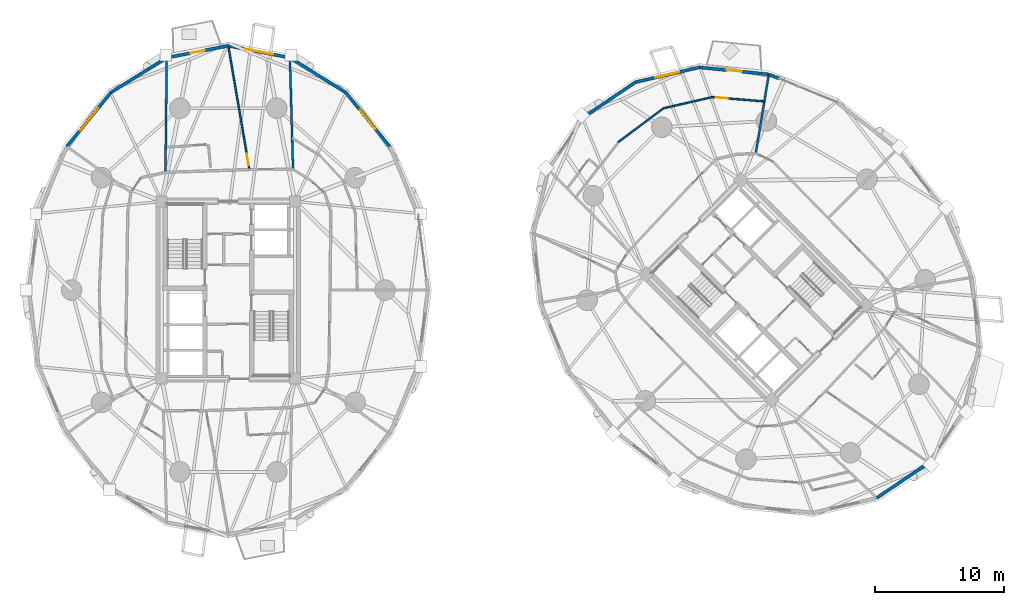
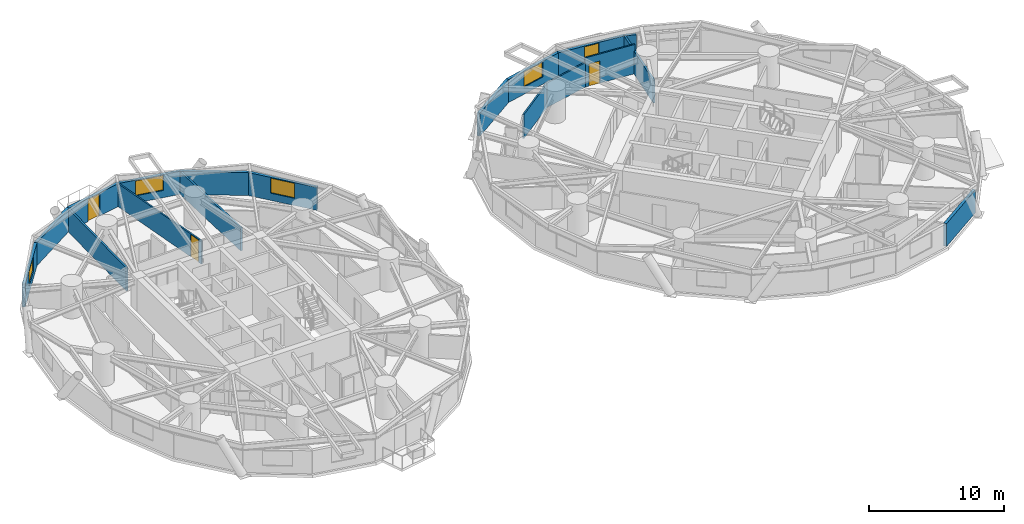
# One storey, part 15 of 20: 18 walls, 4 doors, 4 windows, 8 openings.
"""IFC4 building model written with IfcOpenShell, lengths in metres."""

from ifc_helpers import new_model, si_unit, direction, frame, frame_2d, origin, place, context, subcontext, project, spatial, rectangle, extrude, source, transform, mapped, material, layer, layer_set, type_object, element, fill, save


model = new_model("IFC4")

# Units and contexts
model_context = context("Model", 3, precision=1e-05, world=origin(), true_north=direction((0.0, 1.0)))
body_context = subcontext(model_context, "Body", "Model", "MODEL_VIEW")
ifc_project = project(units=[si_unit("LENGTHUNIT", "METRE"), si_unit("AREAUNIT", "SQUARE_METRE"), si_unit("VOLUMEUNIT", "CUBIC_METRE"), si_unit("PLANEANGLEUNIT", "RADIAN"), si_unit("MASSUNIT", "GRAM", prefix="KILO")], contexts=[model_context])

# Site, building, storey
site_placement = place(None, origin())
site = spatial("IfcSite", under=ifc_project, at=site_placement, CompositionType="ELEMENT")
building_placement = place(site_placement, origin())
building = spatial("IfcBuilding", under=site, at=building_placement, Name="Cununo Teusaquillo Station Towers", CompositionType="ELEMENT")
storey_placement = place(building_placement, frame((0.0, 0.0, 39.4599609375)))
storey = spatial("IfcBuildingStorey", under=building, at=storey_placement, Name="L11", CompositionType="ELEMENT", Elevation=39.4599609375)

# Wall, opening, window
ifc_material_1 = material(Name="Precast concrete C40/50", Category="concrete")
ifc_layer_1 = layer(ifc_material_1, 0.239990234375)
ifc_layer_set_1 = layer_set([ifc_layer_1], Name="Precast concrete C40/50")
wall_type_1 = type_object("IfcWallType", Name="WL-EXT-240", PredefinedType="SOLIDWALL", material=ifc_layer_set_1)
wall_1_placement = place(storey_placement, frame((25.610107421875, 39.84716796875, 0.0), z_axis=(0.0, 0.0, 1.0), x_axis=(0.632710215588, -0.774388651189, 0.0)))
wall_1 = element("IfcWall", 1, at=wall_1_placement, inside=storey, type_object=wall_type_1, Name="L11 Tower A Exterior Facade Wall C02", PredefinedType="SOLIDWALL", context=body_context, shape_type="SweptSolid", body=[
    extrude(rectangle(XDim=5.41943359375, YDim=0.239990234375, at=frame_2d((2.709716796875, 0.0))), origin(), (0.0, 0.0, 1.0), 2.072998046875),
])
shared_shape_1 = source(origin(), body_context, "Body", "SweptSolid", [
    extrude(rectangle(XDim=1.89990234375, YDim=1.35009765625, at=frame_2d((0.949951171875, 0.675048828125))), frame((0.0, 0.1298828125, 0.0), z_axis=(0.0, -1.0, 0.0), x_axis=(1.0, 0.0, 0.0)), (0.0, 0.0, 1.0), 0.260009765625),
])
opening_1_placement = place(wall_1_placement, frame((1.760009765625, 0.0, 0.64990234375)))
opening_1 = element("IfcOpeningElement", 2, at=opening_1_placement, cuts=wall_1, Name="Opening WN-02", PredefinedType="OPENING", context=body_context, shape_type="MappedRepresentation", body=[
    mapped(shared_shape_1, transform((0.0, 0.0, 0.0), x_axis=(1.0, 0.0, 0.0), y_axis=(0.0, 1.0, 0.0), z_axis=(0.0, 0.0, 1.0), scale=1.0)),
])
ifc_material_2 = material(Name="Operable acoustic tinted low-E double glazing", Category="glass")
window_type_1 = type_object("IfcWindowType", Name="WIN-OPER-1900", PartitioningType="DOUBLE_PANEL_VERTICAL", PredefinedType="WINDOW", material=ifc_material_2)
shared_shape_2 = source(origin(), body_context, "Body", "SweptSolid", [
    extrude(rectangle(XDim=1.89990234375, YDim=1.35009765625, at=frame_2d((0.949951171875, 0.675048828125))), frame((0.0, 0.030029296875, 0.0), z_axis=(0.0, -1.0, 0.0), x_axis=(1.0, 0.0, 0.0)), (0.0, 0.0, 1.0), 0.06005859375),
])
window_1_placement = place(opening_1_placement, origin())
window_1 = element("IfcWindow", 3, at=window_1_placement, inside=storey, type_object=window_type_1, Name="L11 Tower A Facade Window C02", OverallHeight=1.35009765625, OverallWidth=1.89990234375, PartitioningType="DOUBLE_PANEL_VERTICAL", PredefinedType="WINDOW", context=body_context, shape_type="MappedRepresentation", body=[
    mapped(shared_shape_2, transform((0.0, 0.0, 0.0), x_axis=(1.0, 0.0, 0.0), y_axis=(0.0, 1.0, 0.0), z_axis=(0.0, 0.0, 1.0), scale=1.0)),
])
fill(opening_1, window_1)

# Wall
wall_2_placement = place(storey_placement, frame((21.28955078125, 42.54150390625, 0.0), z_axis=(0.0, 0.0, 1.0), x_axis=(0.848528534887, -0.529149624853, 0.0)))
element("IfcWall", 4, at=wall_2_placement, inside=storey, type_object=wall_type_1, Name="L11 Tower A Exterior Facade Wall C03", PredefinedType="SOLIDWALL", context=body_context, shape_type="SweptSolid", body=[
    extrude(rectangle(XDim=5.091796875, YDim=0.239990234375, at=frame_2d((2.5458984375, 0.0))), origin(), (0.0, 0.0, 1.0), 2.072998046875),
])

# Wall, opening, window
wall_3_placement = place(storey_placement, frame((16.5, 43.469970703125, 0.0), z_axis=(0.0, 0.0, 1.0), x_axis=(0.981724094622, -0.190309752872, 0.0)))
wall_3 = element("IfcWall", 5, at=wall_3_placement, inside=storey, type_object=wall_type_1, Name="L11 Tower A Exterior Facade Wall C04", PredefinedType="SOLIDWALL", context=body_context, shape_type="SweptSolid", body=[
    extrude(rectangle(XDim=4.878662109375, YDim=0.239990234375, at=frame_2d((2.439453125, 0.0))), origin(), (0.0, 0.0, 1.0), 2.072998046875),
])
shared_shape_3 = source(origin(), body_context, "Body", "SweptSolid", [
    extrude(rectangle(XDim=2.199951171875, YDim=1.35009765625, at=frame_2d((1.10009765625, 0.675048828125))), frame((0.0, 0.1298828125, 0.0), z_axis=(0.0, -1.0, 0.0), x_axis=(1.0, 0.0, 0.0)), (0.0, 0.0, 1.0), 0.260009765625),
])
opening_2_placement = place(wall_3_placement, frame((1.339111328125, 0.0, 0.64990234375)))
opening_2 = element("IfcOpeningElement", 6, at=opening_2_placement, cuts=wall_3, Name="Opening WN-01", PredefinedType="OPENING", context=body_context, shape_type="MappedRepresentation", body=[
    mapped(shared_shape_3, transform((0.0, 0.0, 0.0), x_axis=(1.0, 0.0, 0.0), y_axis=(0.0, 1.0, 0.0), z_axis=(0.0, 0.0, 1.0), scale=1.0)),
])
ifc_material_3 = material(Name="Ceramic-fritted dark low-E double glazing", Category="glass")
window_type_2 = type_object("IfcWindowType", Name="WIN-FRIT-2200", PartitioningType="DOUBLE_PANEL_VERTICAL", PredefinedType="WINDOW", material=ifc_material_3)
shared_shape_4 = source(origin(), body_context, "Body", "SweptSolid", [
    extrude(rectangle(XDim=2.199951171875, YDim=1.35009765625, at=frame_2d((1.10009765625, 0.675048828125))), frame((0.0, 0.030029296875, 0.0), z_axis=(0.0, -1.0, 0.0), x_axis=(1.0, 0.0, 0.0)), (0.0, 0.0, 1.0), 0.06005859375),
])
window_2_placement = place(opening_2_placement, origin())
window_2 = element("IfcWindow", 7, at=window_2_placement, inside=storey, type_object=window_type_2, Name="L11 Tower A Facade Window C04", OverallHeight=1.35009765625, OverallWidth=2.199951171875, PartitioningType="DOUBLE_PANEL_VERTICAL", PredefinedType="WINDOW", context=body_context, shape_type="MappedRepresentation", body=[
    mapped(shared_shape_4, transform((0.0, 0.0, 0.0), x_axis=(1.0, 0.0, 0.0), y_axis=(0.0, 1.0, 0.0), z_axis=(0.0, 0.0, 1.0), scale=1.0)),
])
fill(opening_2, window_2)

# Wall, opening, door
wall_4_placement = place(storey_placement, frame((11.71044921875, 42.54150390625, 0.0), z_axis=(0.0, 0.0, 1.0), x_axis=(0.981724094622, 0.190309752872, 0.0)))
wall_4 = element("IfcWall", 8, at=wall_4_placement, inside=storey, type_object=wall_type_1, Name="L11 Tower A Exterior Facade Wall C05", PredefinedType="SOLIDWALL", context=body_context, shape_type="SweptSolid", body=[
    extrude(rectangle(XDim=4.878662109375, YDim=0.239990234375, at=frame_2d((2.439453125, 0.0))), origin(), (0.0, 0.0, 1.0), 2.072998046875),
])
shared_shape_5 = source(origin(), body_context, "Body", "SweptSolid", [
    extrude(rectangle(XDim=1.14990234375, YDim=2.0048828125, at=frame_2d((0.574951171875, 1.00244140625))), frame((0.0, 0.1298828125, 0.0), z_axis=(0.0, -1.0, 0.0), x_axis=(1.0, 0.0, 0.0)), (0.0, 0.0, 1.0), 0.260009765625),
])
opening_3_placement = place(wall_4_placement, frame((1.864013671875, 0.0, 0.0)))
opening_3 = element("IfcOpeningElement", 9, at=opening_3_placement, cuts=wall_4, Name="Opening ED-03", PredefinedType="OPENING", context=body_context, shape_type="MappedRepresentation", body=[
    mapped(shared_shape_5, transform((0.0, 0.0, 0.0), x_axis=(1.0, 0.0, 0.0), y_axis=(0.0, 1.0, 0.0), z_axis=(0.0, 0.0, 1.0), scale=1.0)),
])
ifc_material_4 = material(Name="Anodised dark bronze aluminium EN AW-6063-T6", Category="aluminium")
door_type_1 = type_object("IfcDoorType", Name="DR-EXT-BAL", OperationType="NOTDEFINED", PredefinedType="DOOR", material=ifc_material_4)
shared_shape_6 = source(origin(), body_context, "Body", "SweptSolid", [
    extrude(rectangle(XDim=1.14990234375, YDim=2.0048828125, at=frame_2d((0.574951171875, 1.00244140625))), frame((0.0, 0.02490234375, 0.0), z_axis=(0.0, -1.0, 0.0), x_axis=(1.0, 0.0, 0.0)), (0.0, 0.0, 1.0), 0.050048828125),
])
door_1_placement = place(opening_3_placement, origin())
door_1 = element("IfcDoor", 10, at=door_1_placement, inside=storey, type_object=door_type_1, Name="L11 Tower A Tree Balcony Door C05", OperationType="SINGLE_SWING_LEFT", OverallHeight=2.0048828125, OverallWidth=1.14990234375, PredefinedType="DOOR", context=body_context, shape_type="MappedRepresentation", body=[
    mapped(shared_shape_6, transform((0.0, 0.0, 0.0), x_axis=(1.0, 0.0, 0.0), y_axis=(0.0, 1.0, 0.0), z_axis=(0.0, 0.0, 1.0), scale=1.0)),
])
fill(opening_3, door_1)

# Wall
wall_5_placement = place(storey_placement, frame((7.389892578125, 39.84716796875, 0.0), z_axis=(0.0, 0.0, 1.0), x_axis=(0.848528534887, 0.529149624853, 0.0)))
element("IfcWall", 11, at=wall_5_placement, inside=storey, type_object=wall_type_1, Name="L11 Tower A Exterior Facade Wall C06", PredefinedType="SOLIDWALL", context=body_context, shape_type="SweptSolid", body=[
    extrude(rectangle(XDim=5.091796875, YDim=0.239990234375, at=frame_2d((2.5458984375, 0.0))), origin(), (0.0, 0.0, 1.0), 2.072998046875),
])

# Wall, opening, window
wall_6_placement = place(storey_placement, frame((3.9609375, 35.650390625, 0.0), z_axis=(0.0, 0.0, 1.0), x_axis=(0.632710215588, 0.774388651189, 0.0)))
wall_6 = element("IfcWall", 12, at=wall_6_placement, inside=storey, type_object=wall_type_1, Name="L11 Tower A Exterior Facade Wall C07", PredefinedType="SOLIDWALL", context=body_context, shape_type="SweptSolid", body=[
    extrude(rectangle(XDim=5.41943359375, YDim=0.239990234375, at=frame_2d((2.709716796875, 0.0))), origin(), (0.0, 0.0, 1.0), 2.072998046875),
])
opening_4_placement = place(wall_6_placement, frame((1.610107421875, 0.0, 0.64990234375)))
opening_4 = element("IfcOpeningElement", 13, at=opening_4_placement, cuts=wall_6, Name="Opening WN-01", PredefinedType="OPENING", context=body_context, shape_type="MappedRepresentation", body=[
    mapped(shared_shape_3, transform((0.0, 0.0, 0.0), x_axis=(1.0, 0.0, 0.0), y_axis=(0.0, 1.0, 0.0), z_axis=(0.0, 0.0, 1.0), scale=1.0)),
])
window_3_placement = place(opening_4_placement, origin())
window_3 = element("IfcWindow", 14, at=window_3_placement, inside=storey, type_object=window_type_2, Name="L11 Tower A Facade Window C07", OverallHeight=1.35009765625, OverallWidth=2.199951171875, PartitioningType="DOUBLE_PANEL_VERTICAL", PredefinedType="WINDOW", context=body_context, shape_type="MappedRepresentation", body=[
    mapped(shared_shape_4, transform((0.0, 0.0, 0.0), x_axis=(1.0, 0.0, 0.0), y_axis=(0.0, 1.0, 0.0), z_axis=(0.0, 0.0, 1.0), scale=1.0)),
])
fill(opening_4, window_3)

# Wall
wall_7_placement = place(storey_placement, frame((58.48193359375, 41.2509765625, 0.0), z_axis=(0.0, 0.0, 1.0), x_axis=(0.924556017656, -0.381046152345, 0.0)))
element("IfcWall", 15, at=wall_7_placement, inside=storey, type_object=wall_type_1, Name="L11 Tower B Column Pier Cladding Wall C01-PA", PredefinedType="SOLIDWALL", context=body_context, shape_type="SweptSolid", body=[
    extrude(rectangle(XDim=0.8701171875, YDim=0.239990234375, at=frame_2d((0.43505859375, 0.0))), origin(), (0.0, 0.0, 1.0), 2.072998046875),
])

# Wall, opening, door
wall_8_placement = place(storey_placement, frame((53.08984375, 41.7939453125, 0.0), z_axis=(0.0, 0.0, 1.0), x_axis=(0.994968263437, -0.100190592135, 0.0)))
wall_8 = element("IfcWall", 16, at=wall_8_placement, inside=storey, type_object=wall_type_1, Name="L11 Tower B Exterior Facade Wall C02", PredefinedType="SOLIDWALL", context=body_context, shape_type="SweptSolid", body=[
    extrude(rectangle(XDim=5.41943359375, YDim=0.239990234375, at=frame_2d((2.709716796875, 0.0))), origin(), (0.0, 0.0, 1.0), 2.072998046875),
])
opening_5_placement = place(wall_8_placement, frame((2.135009765625, 0.0, 0.0)))
opening_5 = element("IfcOpeningElement", 17, at=opening_5_placement, cuts=wall_8, Name="Opening ED-03", PredefinedType="OPENING", context=body_context, shape_type="MappedRepresentation", body=[
    mapped(shared_shape_5, transform((0.0, 0.0, 0.0), x_axis=(1.0, 0.0, 0.0), y_axis=(0.0, 1.0, 0.0), z_axis=(0.0, 0.0, 1.0), scale=1.0)),
])
door_2_placement = place(opening_5_placement, origin())
door_2 = element("IfcDoor", 18, at=door_2_placement, inside=storey, type_object=door_type_1, Name="L11 Tower B Tree Balcony Door C02", OperationType="SINGLE_SWING_LEFT", OverallHeight=2.0048828125, OverallWidth=1.14990234375, PredefinedType="DOOR", context=body_context, shape_type="MappedRepresentation", body=[
    mapped(shared_shape_6, transform((0.0, 0.0, 0.0), x_axis=(1.0, 0.0, 0.0), y_axis=(0.0, 1.0, 0.0), z_axis=(0.0, 0.0, 1.0), scale=1.0)),
])
fill(opening_5, door_2)

# Wall, opening, window
wall_9_placement = place(storey_placement, frame((48.12939453125, 40.64404296875, 0.0), z_axis=(0.0, 0.0, 1.0), x_axis=(0.974167686491, 0.22582585901, 0.0)))
wall_9 = element("IfcWall", 19, at=wall_9_placement, inside=storey, type_object=wall_type_1, Name="L11 Tower B Exterior Facade Wall C03", PredefinedType="SOLIDWALL", context=body_context, shape_type="SweptSolid", body=[
    extrude(rectangle(XDim=5.092041015625, YDim=0.239990234375, at=frame_2d((2.5458984375, 0.0))), origin(), (0.0, 0.0, 1.0), 2.072998046875),
])
opening_6_placement = place(wall_9_placement, frame((1.595947265625, 0.0, 0.64990234375)))
opening_6 = element("IfcOpeningElement", 20, at=opening_6_placement, cuts=wall_9, Name="Opening WN-02", PredefinedType="OPENING", context=body_context, shape_type="MappedRepresentation", body=[
    mapped(shared_shape_1, transform((0.0, 0.0, 0.0), x_axis=(1.0, 0.0, 0.0), y_axis=(0.0, 1.0, 0.0), z_axis=(0.0, 0.0, 1.0), scale=1.0)),
])
window_4_placement = place(opening_6_placement, origin())
window_4 = element("IfcWindow", 21, at=window_4_placement, inside=storey, type_object=window_type_1, Name="L11 Tower B Facade Window C03", OverallHeight=1.35009765625, OverallWidth=1.89990234375, PartitioningType="DOUBLE_PANEL_VERTICAL", PredefinedType="WINDOW", context=body_context, shape_type="MappedRepresentation", body=[
    mapped(shared_shape_2, transform((0.0, 0.0, 0.0), x_axis=(1.0, 0.0, 0.0), y_axis=(0.0, 1.0, 0.0), z_axis=(0.0, 0.0, 1.0), scale=1.0)),
])
fill(opening_6, window_4)

# Walls
for number, where, z_axis, x_axis, name in (
    (22, (44.086181640625, 37.913818359375, 0.0), (0.0, 0.0, 1.0), (0.828748297084, 0.559621532896, 0.0), "L11 Tower B Exterior Facade Wall C04"),
    (23, (70.913818359375, 11.086181640625, 0.0), (0.0, 0.0, 1.0), (-0.828748297084, -0.559621532896, 0.0), "L11 Tower B Exterior Facade Wall C14"),
):
    element("IfcWall", number, at=place(storey_placement, frame(where, z_axis=z_axis, x_axis=x_axis)), inside=storey, type_object=wall_type_1, Name=name, PredefinedType="SOLIDWALL", context=body_context, shape_type="SweptSolid", body=[
        extrude(rectangle(XDim=4.878662109375, YDim=0.239990234375, at=frame_2d((2.439453125, 0.0))), origin(), (0.0, 0.0, 1.0), 2.072998046875),
    ])

# Wall, opening, door
ifc_material_5 = material(Name="Fire-rated gypsum plasterboard partition assembly", Category="gypsum")
ifc_layer_2 = layer(ifc_material_5, 0.125)
ifc_layer_set_2 = layer_set([ifc_layer_2], Name="Fire-rated gypsum plasterboard partition assembly")
wall_type_2 = type_object("IfcWallType", Name="WL-PART-125", PredefinedType="PARTITIONING", material=ifc_layer_set_2)
wall_10_placement = place(storey_placement, frame((18.142822265625, 33.859619140625, 0.0), z_axis=(0.0, 0.0, 1.0), x_axis=(-0.168840545196, 0.985643378864, 0.0)))
wall_10 = element("IfcWall", 24, at=wall_10_placement, inside=storey, type_object=wall_type_2, Name="L11 Tower A Royal Corner Hotel Suite Suite Subdividing Wall", PredefinedType="PARTITIONING", context=body_context, shape_type="SweptSolid", body=[
    extrude(rectangle(XDim=9.72998046875, YDim=0.125, at=frame_2d((4.864990234375, 0.0))), origin(), (0.0, 0.0, 1.0), 2.072998046875),
])
shared_shape_7 = source(origin(), body_context, "Body", "SweptSolid", [
    extrude(rectangle(XDim=0.89990234375, YDim=2.0048828125, at=frame_2d((0.449951171875, 1.00244140625))), frame((0.0, 0.072509765625, 0.0), z_axis=(0.0, -1.0, 0.0), x_axis=(1.0, 0.0, 0.0)), (0.0, 0.0, 1.0), 0.14501953125),
])
opening_7_placement = place(wall_10_placement, frame((0.330078125, 0.0, 0.0)))
opening_7 = element("IfcOpeningElement", 25, at=opening_7_placement, cuts=wall_10, Name="Opening D-IN1", PredefinedType="OPENING", context=body_context, shape_type="MappedRepresentation", body=[
    mapped(shared_shape_7, transform((0.0, 0.0, 0.0), x_axis=(1.0, 0.0, 0.0), y_axis=(0.0, 1.0, 0.0), z_axis=(0.0, 0.0, 1.0), scale=1.0)),
])
ifc_material_6 = material(Name="Acoustic solid-core hardwood leaf assembly", Category="wood")
door_type_2 = type_object("IfcDoorType", Name="DR-INT-900", OperationType="NOTDEFINED", PredefinedType="DOOR", material=ifc_material_6)
shared_shape_8 = source(origin(), body_context, "Body", "SweptSolid", [
    extrude(rectangle(XDim=0.89990234375, YDim=2.0048828125, at=frame_2d((0.449951171875, 1.00244140625))), frame((0.0, 0.02490234375, 0.0), z_axis=(0.0, -1.0, 0.0), x_axis=(1.0, 0.0, 0.0)), (0.0, 0.0, 1.0), 0.050048828125),
])
door_3_placement = place(opening_7_placement, origin())
door_3 = element("IfcDoor", 26, at=door_3_placement, inside=storey, type_object=door_type_2, Name="L11 Tower A Royal Corner Hotel Suite Suite Connecting Door", OperationType="SINGLE_SWING_LEFT", OverallHeight=2.0048828125, OverallWidth=0.89990234375, PredefinedType="DOOR", context=body_context, shape_type="MappedRepresentation", body=[
    mapped(shared_shape_8, transform((0.0, 0.0, 0.0), x_axis=(1.0, 0.0, 0.0), y_axis=(0.0, 1.0, 0.0), z_axis=(0.0, 0.0, 1.0), scale=1.0)),
])
fill(opening_7, door_3)

wall_11_placement = place(storey_placement, frame((58.134765625, 39.150390625, 0.0), z_axis=(0.0, 0.0, 1.0), x_axis=(-0.996661360768, 0.081646383578, 0.0)))
wall_11 = element("IfcWall", 27, at=wall_11_placement, inside=storey, type_object=wall_type_2, Name="L11 Tower B Royal Corner Hotel Suite Concentric Partition Wall C02", PredefinedType="PARTITIONING", context=body_context, shape_type="SweptSolid", body=[
    extrude(rectangle(XDim=4.07275390625, YDim=0.125, at=frame_2d((2.036376953125, 0.0))), origin(), (0.0, 0.0, 1.0), 2.635009765625),
])
opening_8_placement = place(wall_11_placement, frame((2.869140625, 0.0, 0.0)))
opening_8 = element("IfcOpeningElement", 28, at=opening_8_placement, cuts=wall_11, Name="Opening D-IN1", PredefinedType="OPENING", context=body_context, shape_type="MappedRepresentation", body=[
    mapped(shared_shape_7, transform((0.0, 0.0, 0.0), x_axis=(1.0, 0.0, 0.0), y_axis=(0.0, 1.0, 0.0), z_axis=(0.0, 0.0, 1.0), scale=1.0)),
])
door_4_placement = place(opening_8_placement, origin())
door_4 = element("IfcDoor", 29, at=door_4_placement, inside=storey, type_object=door_type_2, Name="L11 Tower B Royal Corner Hotel Suite Connecting Door", OperationType="SINGLE_SWING_RIGHT", OverallHeight=2.0048828125, OverallWidth=0.89990234375, PredefinedType="DOOR", context=body_context, shape_type="MappedRepresentation", body=[
    mapped(shared_shape_8, transform((0.0, 0.0, 0.0), x_axis=(1.0, 0.0, 0.0), y_axis=(0.0, 1.0, 0.0), z_axis=(0.0, 0.0, 1.0), scale=1.0)),
])
fill(opening_8, door_4)

# Walls
wall_12_placement = place(storey_placement, frame((54.07568359375, 39.48291015625, 0.0), z_axis=(0.0, 0.0, 1.0), x_axis=(-0.974339463782, -0.225083560744, 0.0)))
element("IfcWall", 30, at=wall_12_placement, inside=storey, type_object=wall_type_2, Name="L11 Tower B Royal Corner Hotel Suite Concentric Partition Wall C03", PredefinedType="PARTITIONING", context=body_context, shape_type="SweptSolid", body=[
    extrude(rectangle(XDim=3.8994140625, YDim=0.125, at=frame_2d((1.94970703125, 0.0))), origin(), (0.0, 0.0, 1.0), 2.205078125),
])
wall_13_placement = place(storey_placement, frame((50.2763671875, 38.605224609375, 0.0), z_axis=(0.0, 0.0, 1.0), x_axis=(-0.798927876279, -0.60142684385, 0.0)))
element("IfcWall", 31, at=wall_13_placement, inside=storey, type_object=wall_type_2, Name="L11 Tower B Royal Corner Hotel Suite Concentric Partition Wall C04", PredefinedType="PARTITIONING", context=body_context, shape_type="SweptSolid", body=[
    extrude(rectangle(XDim=4.35009765625, YDim=0.125, at=frame_2d((2.175048828125, 0.0))), origin(), (0.0, 0.0, 1.0), 2.158935546875),
])
ifc_material_7 = material(Name="Fire-rated gypsum plasterboard partition assembly", Category="gypsum")
ifc_layer_3 = layer(ifc_material_7, 0.159912109375)
ifc_layer_set_3 = layer_set([ifc_layer_3], Name="Fire-rated gypsum plasterboard partition assembly")
wall_type_3 = type_object("IfcWallType", Name="WL-PART-160", PredefinedType="PARTITIONING", material=ifc_layer_set_3)
wall_14_placement = place(storey_placement, frame((21.52685546875, 33.873291015625, 0.0), z_axis=(0.0, 0.0, 1.0), x_axis=(-0.028159433134, 0.999603444535, 0.0)))
element("IfcWall", 32, at=wall_14_placement, inside=storey, type_object=wall_type_3, Name="L11 Tower A Radial Suite Partition R02", PredefinedType="PARTITIONING", context=body_context, shape_type="SweptSolid", body=[
    extrude(rectangle(XDim=8.652587890625, YDim=0.159912109375, at=frame_2d((4.326171875, 0.0))), origin(), (0.0, 0.0, 1.0), 2.072998046875),
])
wall_15_placement = place(storey_placement, frame((11.619873046875, 33.63720703125, 0.0), z_axis=(0.0, 0.0, 1.0), x_axis=(0.01090774254, 0.999940508807, 0.0)))
element("IfcWall", 33, at=wall_15_placement, inside=storey, type_object=wall_type_3, Name="L11 Tower A Radial Suite Partition R03", PredefinedType="PARTITIONING", context=body_context, shape_type="SweptSolid", body=[
    extrude(rectangle(XDim=8.8857421875, YDim=0.159912109375, at=frame_2d((4.44287109375, 0.0))), origin(), (0.0, 0.0, 1.0), 2.072998046875),
])
wall_16_placement = place(storey_placement, frame((57.466796875, 35.111328125, 0.0), z_axis=(0.0, 0.0, 1.0), x_axis=(0.163141505202, 0.986602680556, 0.0)))
element("IfcWall", 34, at=wall_16_placement, inside=storey, type_object=wall_type_3, Name="L11 Tower B Radial Suite Partition R02", PredefinedType="PARTITIONING", context=body_context, shape_type="SweptSolid", body=[
    extrude(rectangle(XDim=6.202880859375, YDim=0.159912109375, at=frame_2d((3.1015625, 0.0))), origin(), (0.0, 0.0, 1.0), 2.072998046875),
])

save(model, "model.ifc")
